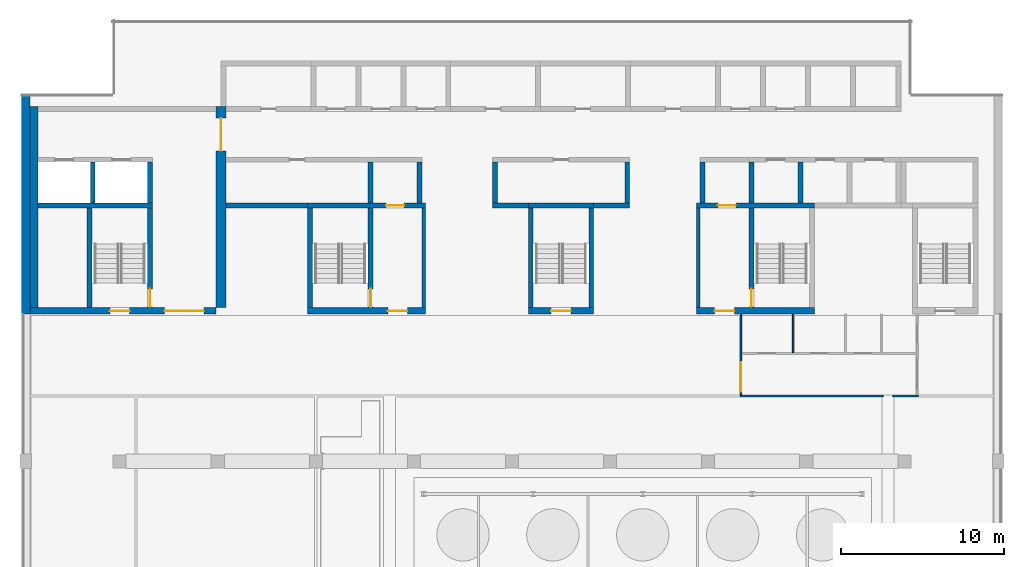
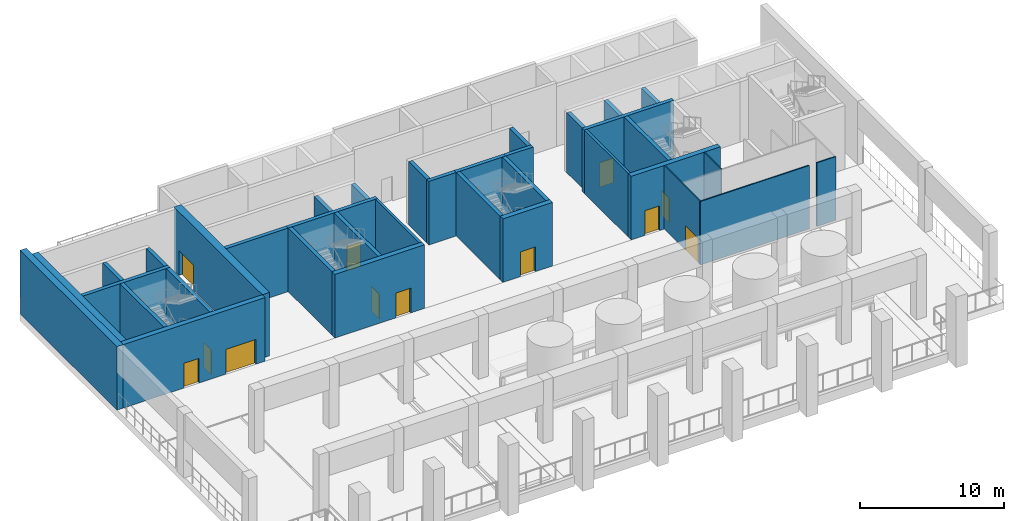
# One storey, part 4 of 11: 36 walls, 12 doors, 12 openings.
"""IFC4 building model written with IfcOpenShell, lengths in metres."""

from ifc_helpers import new_model, si_unit, direction, frame, frame_2d, origin, place, context, subcontext, project, spatial, rectangle, extrude, material, layer, layer_set, type_object, element, fill, save


model = new_model("IFC4")

# Units and contexts
model_context = context("Model", 3, precision=1e-05, world=origin(), true_north=direction((0.0, 1.0)))
body_context = subcontext(model_context, "Body", "Model", "MODEL_VIEW")
ifc_project = project(units=[si_unit("LENGTHUNIT", "METRE"), si_unit("AREAUNIT", "SQUARE_METRE"), si_unit("VOLUMEUNIT", "CUBIC_METRE"), si_unit("PLANEANGLEUNIT", "RADIAN"), si_unit("MASSUNIT", "GRAM", prefix="KILO")], contexts=[model_context])

# Site, building, storey
site_placement = place(None, origin())
site = spatial("IfcSite", under=ifc_project, at=site_placement, CompositionType="ELEMENT")
building_placement = place(site_placement, origin())
building = spatial("IfcBuilding", under=site, at=building_placement, Name="Calvaro Tower", CompositionType="ELEMENT")
storey_placement = place(building_placement, frame((0.0, 0.0, 265.949951171875)))
storey = spatial("IfcBuildingStorey", under=building, at=storey_placement, Name="L67", CompositionType="ELEMENT", Elevation=265.949951171875)

# Walls
ifc_material_1 = material(Name="Blockwork partition", Category="masonry")
ifc_layer_1 = layer(ifc_material_1, 0.199951171875)
ifc_layer_set_1 = layer_set([ifc_layer_1], Name="Blockwork partition")
wall_type_1 = type_object("IfcWallType", Name="Core partition 200 REI 120", PredefinedType="PARTITIONING", material=ifc_layer_set_1)
for number, where, z_axis, x_axis, name in (
    (1, (30.60009765625, 28.39990234375, 0.0), (0.0, 0.0, 1.0), (0.0, 1.0, 0.0), "Core partition"),
    (2, (47.39990234375, 28.39990234375, 0.0), (0.0, 0.0, 1.0), (0.0, 1.0, 0.0), "Core partition"),
):
    element("IfcWall", number, at=place(storey_placement, frame(where, z_axis=z_axis, x_axis=x_axis)), inside=storey, type_object=wall_type_1, Name=name, PredefinedType="PARTITIONING", context=body_context, shape_type="SweptSolid", body=[
        extrude(rectangle(XDim=6.10009765625, YDim=0.199951171875, at=frame_2d((3.050048828125, 0.0))), origin(), (0.0, 0.0, 1.0), 5.400146484375),
    ])
ifc_material_2 = material(Name="Blockwork partition", Category="masonry")
ifc_layer_2 = layer(ifc_material_2, 0.300048828125)
ifc_layer_set_2 = layer_set([ifc_layer_2], Name="Blockwork partition")
wall_type_2 = type_object("IfcWallType", Name="Core partition 300 REI 120", PredefinedType="PARTITIONING", material=ifc_layer_set_2)
wall_1_placement = place(storey_placement, frame((18.5, 34.64990234375, 0.0), z_axis=(0.0, 0.0, 1.0), x_axis=(1.0, 0.0, 0.0)))
element("IfcWall", 3, at=wall_1_placement, inside=storey, type_object=wall_type_2, Name="Core partition", PredefinedType="PARTITIONING", context=body_context, shape_type="SweptSolid", body=[
    extrude(rectangle(XDim=5.0, YDim=0.300048828125, at=frame_2d((2.5, 0.0))), origin(), (0.0, 0.0, 1.0), 5.400146484375),
])
for number, where, z_axis, x_axis, name in (
    (4, (34.800048828125, 34.64990234375, 0.0), (0.0, 0.0, 1.0), (1.0, 0.0, 0.0), "Core partition"),
    (5, (41.0, 34.64990234375, 0.0), (0.0, 0.0, 1.0), (1.0, 0.0, 0.0), "Core partition"),
):
    element("IfcWall", number, at=place(storey_placement, frame(where, z_axis=z_axis, x_axis=x_axis)), inside=storey, type_object=wall_type_2, Name=name, PredefinedType="PARTITIONING", context=body_context, shape_type="SweptSolid", body=[
        extrude(rectangle(XDim=2.199951171875, YDim=0.300048828125, at=frame_2d((1.10009765625, 0.0))), origin(), (0.0, 0.0, 1.0), 5.400146484375),
    ])
for number, where, z_axis, x_axis, name in (
    (6, (34.949951171875, 34.800048828125, 0.0), (0.0, 0.0, 1.0), (0.0, 1.0, 0.0), "Core partition"),
    (7, (43.050048828125, 34.800048828125, 0.0), (0.0, 0.0, 1.0), (0.0, 1.0, 0.0), "Core partition"),
):
    element("IfcWall", number, at=place(storey_placement, frame(where, z_axis=z_axis, x_axis=x_axis)), inside=storey, type_object=wall_type_2, Name=name, PredefinedType="PARTITIONING", context=body_context, shape_type="SweptSolid", body=[
        extrude(rectangle(XDim=2.5, YDim=0.300048828125, at=frame_2d((1.25, 0.0))), origin(), (0.0, 0.0, 1.0), 5.400146484375),
    ])
ifc_material_3 = material(Name="Concrete C40/50", Category="concrete")
ifc_layer_3 = layer(ifc_material_3, 0.300048828125)
ifc_layer_set_3 = layer_set([ifc_layer_3], Name="Concrete C40/50")
wall_type_3 = type_object("IfcWallType", Name="Core wall C40/50 300", PredefinedType="SHEAR", material=ifc_layer_set_3)
wall_2_placement = place(storey_placement, frame((10.14990234375, 28.39990234375, 0.0), z_axis=(0.0, 0.0, 1.0), x_axis=(0.0, 1.0, 0.0)))
element("IfcWall", 8, at=wall_2_placement, inside=storey, type_object=wall_type_3, Name="Core wall, stair enclosure", PredefinedType="SHEAR", context=body_context, shape_type="SweptSolid", body=[
    extrude(rectangle(XDim=6.10009765625, YDim=0.300048828125, at=frame_2d((3.050048828125, 0.0))), origin(), (0.0, 0.0, 1.0), 5.400146484375),
])

# Wall, opening, door
wall_3_placement = place(storey_placement, frame((13.85009765625, 28.39990234375, 0.0), z_axis=(0.0, 0.0, 1.0), x_axis=(0.0, 1.0, 0.0)))
wall_3 = element("IfcWall", 9, at=wall_3_placement, inside=storey, type_object=wall_type_3, Name="Core wall, stair enclosure", PredefinedType="SHEAR", context=body_context, shape_type="SweptSolid", body=[
    extrude(rectangle(XDim=6.10009765625, YDim=0.300048828125, at=frame_2d((3.050048828125, 0.0))), origin(), (0.0, 0.0, 1.0), 5.400146484375),
])
opening_1_placement = place(wall_3_placement, frame((0.050048828125, 0.0, 0.0)))
opening_1 = element("IfcOpeningElement", 10, at=opening_1_placement, cuts=wall_3, Name="Opening FD11D", PredefinedType="OPENING", context=body_context, shape_type="SweptSolid", body=[
    extrude(rectangle(XDim=1.10009765625, YDim=2.10009765625, at=frame_2d((0.550048828125, 1.050048828125))), frame((0.0, 0.159912109375, 0.0), z_axis=(0.0, -1.0, 0.0), x_axis=(1.0, 0.0, 0.0)), (0.0, 0.0, 1.0), 0.320068359375),
])
ifc_material_4 = material(Name="Steel door set", Category="steel")
door_type_1 = type_object("IfcDoorType", Name="Fire door 1100 FD30S", OperationType="SINGLE_SWING_LEFT", PredefinedType="DOOR", material=ifc_material_4)
door_1_placement = place(opening_1_placement, origin())
door_1 = element("IfcDoor", 11, at=door_1_placement, inside=storey, type_object=door_type_1, Name="Fire door", OperationType="SINGLE_SWING_LEFT", OverallHeight=2.10009765625, OverallWidth=1.10009765625, PredefinedType="DOOR", context=body_context, shape_type="SweptSolid", body=[
    extrude(rectangle(XDim=1.10009765625, YDim=2.10009765625, at=frame_2d((0.550048828125, 1.050048828125))), frame((0.0, 0.02490234375, 0.0), z_axis=(0.0, -1.0, 0.0), x_axis=(1.0, 0.0, 0.0)), (0.0, 0.0, 1.0), 0.050048828125),
])
fill(opening_1, door_1)

# Wall
wall_4_placement = place(storey_placement, frame((23.64990234375, 28.39990234375, 0.0), z_axis=(0.0, 0.0, 1.0), x_axis=(0.0, 1.0, 0.0)))
element("IfcWall", 12, at=wall_4_placement, inside=storey, type_object=wall_type_3, Name="Core wall, stair enclosure", PredefinedType="SHEAR", context=body_context, shape_type="SweptSolid", body=[
    extrude(rectangle(XDim=6.10009765625, YDim=0.300048828125, at=frame_2d((3.050048828125, 0.0))), origin(), (0.0, 0.0, 1.0), 5.400146484375),
])

# Wall, opening, door
wall_5_placement = place(storey_placement, frame((27.35009765625, 28.39990234375, 0.0), z_axis=(0.0, 0.0, 1.0), x_axis=(0.0, 1.0, 0.0)))
wall_5 = element("IfcWall", 13, at=wall_5_placement, inside=storey, type_object=wall_type_3, Name="Core wall, stair enclosure", PredefinedType="SHEAR", context=body_context, shape_type="SweptSolid", body=[
    extrude(rectangle(XDim=6.10009765625, YDim=0.300048828125, at=frame_2d((3.050048828125, 0.0))), origin(), (0.0, 0.0, 1.0), 5.400146484375),
])
opening_2_placement = place(wall_5_placement, frame((0.050048828125, 0.0, 0.0)))
opening_2 = element("IfcOpeningElement", 14, at=opening_2_placement, cuts=wall_5, Name="Opening FD11D", PredefinedType="OPENING", context=body_context, shape_type="SweptSolid", body=[
    extrude(rectangle(XDim=1.10009765625, YDim=2.10009765625, at=frame_2d((0.550048828125, 1.050048828125))), frame((0.0, 0.159912109375, 0.0), z_axis=(0.0, -1.0, 0.0), x_axis=(1.0, 0.0, 0.0)), (0.0, 0.0, 1.0), 0.320068359375),
])
door_2_placement = place(opening_2_placement, origin())
door_2 = element("IfcDoor", 15, at=door_2_placement, inside=storey, type_object=door_type_1, Name="Fire door", OperationType="SINGLE_SWING_LEFT", OverallHeight=2.10009765625, OverallWidth=1.10009765625, PredefinedType="DOOR", context=body_context, shape_type="SweptSolid", body=[
    extrude(rectangle(XDim=1.10009765625, YDim=2.10009765625, at=frame_2d((0.550048828125, 1.050048828125))), frame((0.0, 0.02490234375, 0.0), z_axis=(0.0, -1.0, 0.0), x_axis=(1.0, 0.0, 0.0)), (0.0, 0.0, 1.0), 0.050048828125),
])
fill(opening_2, door_2)

wall_6_placement = place(storey_placement, frame((23.5, 34.64990234375, 0.0), z_axis=(0.0, 0.0, 1.0), x_axis=(1.0, 0.0, 0.0)))
wall_6 = element("IfcWall", 16, at=wall_6_placement, inside=storey, type_object=wall_type_3, Name="Core wall, stair enclosure", PredefinedType="SHEAR", context=body_context, shape_type="SweptSolid", body=[
    extrude(rectangle(XDim=7.199951171875, YDim=0.300048828125, at=frame_2d((3.60009765625, 0.0))), origin(), (0.0, 0.0, 1.0), 5.400146484375),
])
opening_3_placement = place(wall_6_placement, frame((4.800048828125, 0.0, 0.0)))
opening_3 = element("IfcOpeningElement", 17, at=opening_3_placement, cuts=wall_6, Name="Opening FF1", PredefinedType="OPENING", context=body_context, shape_type="SweptSolid", body=[
    extrude(rectangle(XDim=1.10009765625, YDim=2.10009765625, at=frame_2d((0.550048828125, 1.050048828125))), frame((0.0, 0.159912109375, 0.0), z_axis=(0.0, -1.0, 0.0), x_axis=(1.0, 0.0, 0.0)), (0.0, 0.0, 1.0), 0.320068359375),
])
ifc_material_5 = material(Name="Stainless steel", Category="steel")
door_type_2 = type_object("IfcDoorType", Name="Landing door 1100 E 60", OperationType="SLIDING_TO_LEFT", PredefinedType="DOOR", material=ifc_material_5)
door_3_placement = place(opening_3_placement, origin())
door_3 = element("IfcDoor", 18, at=door_3_placement, inside=storey, type_object=door_type_2, Name="Landing door FF1", OperationType="SLIDING_TO_LEFT", OverallHeight=2.10009765625, OverallWidth=1.10009765625, PredefinedType="DOOR", context=body_context, shape_type="SweptSolid", body=[
    extrude(rectangle(XDim=1.10009765625, YDim=2.10009765625, at=frame_2d((0.550048828125, 1.050048828125))), frame((0.0, 0.02490234375, 0.0), z_axis=(0.0, -1.0, 0.0), x_axis=(1.0, 0.0, 0.0)), (0.0, 0.0, 1.0), 0.050048828125),
])
fill(opening_3, door_3)

# Walls
for number, where, z_axis, x_axis, name in (
    (19, (37.14990234375, 28.39990234375, 0.0), (0.0, 0.0, 1.0), (0.0, 1.0, 0.0), "Core wall, stair enclosure"),
    (20, (40.85009765625, 28.39990234375, 0.0), (0.0, 0.0, 1.0), (0.0, 1.0, 0.0), "Core wall, stair enclosure"),
):
    element("IfcWall", number, at=place(storey_placement, frame(where, z_axis=z_axis, x_axis=x_axis)), inside=storey, type_object=wall_type_3, Name=name, PredefinedType="SHEAR", context=body_context, shape_type="SweptSolid", body=[
        extrude(rectangle(XDim=6.10009765625, YDim=0.300048828125, at=frame_2d((3.050048828125, 0.0))), origin(), (0.0, 0.0, 1.0), 5.400146484375),
    ])
wall_7_placement = place(storey_placement, frame((37.0, 34.64990234375, 0.0), z_axis=(0.0, 0.0, 1.0), x_axis=(1.0, 0.0, 0.0)))
element("IfcWall", 21, at=wall_7_placement, inside=storey, type_object=wall_type_3, Name="Core wall, stair enclosure", PredefinedType="SHEAR", context=body_context, shape_type="SweptSolid", body=[
    extrude(rectangle(XDim=4.0, YDim=0.300048828125, at=frame_2d((2.0, 0.0))), origin(), (0.0, 0.0, 1.0), 5.400146484375),
])

# Wall, opening, door
wall_8_placement = place(storey_placement, frame((50.64990234375, 34.5, 0.0), z_axis=(0.0, 0.0, 1.0), x_axis=(0.0, -1.0, 0.0)))
wall_8 = element("IfcWall", 22, at=wall_8_placement, inside=storey, type_object=wall_type_3, Name="Core wall, stair enclosure", PredefinedType="SHEAR", context=body_context, shape_type="SweptSolid", body=[
    extrude(rectangle(XDim=6.10009765625, YDim=0.300048828125, at=frame_2d((3.050048828125, 0.0))), origin(), (0.0, 0.0, 1.0), 5.400146484375),
])
opening_4_placement = place(wall_8_placement, frame((4.949951171875, 0.0, 0.0)))
opening_4 = element("IfcOpeningElement", 23, at=opening_4_placement, cuts=wall_8, Name="Opening FD11D", PredefinedType="OPENING", context=body_context, shape_type="SweptSolid", body=[
    extrude(rectangle(XDim=1.10009765625, YDim=2.10009765625, at=frame_2d((0.550048828125, 1.050048828125))), frame((0.0, 0.159912109375, 0.0), z_axis=(0.0, -1.0, 0.0), x_axis=(1.0, 0.0, 0.0)), (0.0, 0.0, 1.0), 0.320068359375),
])
door_4_placement = place(opening_4_placement, origin())
door_4 = element("IfcDoor", 24, at=door_4_placement, inside=storey, type_object=door_type_1, Name="Fire door", OperationType="SINGLE_SWING_RIGHT", OverallHeight=2.10009765625, OverallWidth=1.10009765625, PredefinedType="DOOR", context=body_context, shape_type="SweptSolid", body=[
    extrude(rectangle(XDim=1.10009765625, YDim=2.10009765625, at=frame_2d((0.550048828125, 1.050048828125))), frame((0.0, 0.02490234375, 0.0), z_axis=(0.0, -1.0, 0.0), x_axis=(1.0, 0.0, 0.0)), (0.0, 0.0, 1.0), 0.050048828125),
])
fill(opening_4, door_4)

wall_9_placement = place(storey_placement, frame((47.300048828125, 34.64990234375, 0.0), z_axis=(0.0, 0.0, 1.0), x_axis=(1.0, 0.0, 0.0)))
wall_9 = element("IfcWall", 25, at=wall_9_placement, inside=storey, type_object=wall_type_3, Name="Core wall, stair enclosure", PredefinedType="SHEAR", context=body_context, shape_type="SweptSolid", body=[
    extrude(rectangle(XDim=7.199951171875, YDim=0.300048828125, at=frame_2d((3.60009765625, 0.0))), origin(), (0.0, 0.0, 1.0), 5.400146484375),
])
opening_5_placement = place(wall_9_placement, frame((1.300048828125, 0.0, 0.0)))
opening_5 = element("IfcOpeningElement", 26, at=opening_5_placement, cuts=wall_9, Name="Opening FF2", PredefinedType="OPENING", context=body_context, shape_type="SweptSolid", body=[
    extrude(rectangle(XDim=1.10009765625, YDim=2.10009765625, at=frame_2d((0.550048828125, 1.050048828125))), frame((0.0, 0.159912109375, 0.0), z_axis=(0.0, -1.0, 0.0), x_axis=(1.0, 0.0, 0.0)), (0.0, 0.0, 1.0), 0.320068359375),
])
door_5_placement = place(opening_5_placement, origin())
door_5 = element("IfcDoor", 27, at=door_5_placement, inside=storey, type_object=door_type_2, Name="Landing door FF2", OperationType="SLIDING_TO_LEFT", OverallHeight=2.10009765625, OverallWidth=1.10009765625, PredefinedType="DOOR", context=body_context, shape_type="SweptSolid", body=[
    extrude(rectangle(XDim=1.10009765625, YDim=2.10009765625, at=frame_2d((0.550048828125, 1.050048828125))), frame((0.0, 0.02490234375, 0.0), z_axis=(0.0, -1.0, 0.0), x_axis=(1.0, 0.0, 0.0)), (0.0, 0.0, 1.0), 0.050048828125),
])
fill(opening_5, door_5)

# Walls
wall_10_placement = place(storey_placement, frame((13.85009765625, 34.800048828125, 0.0), z_axis=(0.0, 0.0, 1.0), x_axis=(0.0, 1.0, 0.0)))
element("IfcWall", 28, at=wall_10_placement, inside=storey, type_object=wall_type_3, Name="Core wall, lift shaft", PredefinedType="SHEAR", context=body_context, shape_type="SweptSolid", body=[
    extrude(rectangle(XDim=2.5, YDim=0.300048828125, at=frame_2d((1.25, 0.0))), origin(), (0.0, 0.0, 1.0), 5.400146484375),
])
wall_11_placement = place(storey_placement, frame((7.0, 34.64990234375, 0.0), z_axis=(0.0, 0.0, 1.0), x_axis=(1.0, 0.0, 0.0)))
element("IfcWall", 29, at=wall_11_placement, inside=storey, type_object=wall_type_3, Name="Core wall, lift shaft", PredefinedType="SHEAR", context=body_context, shape_type="SweptSolid", body=[
    extrude(rectangle(XDim=7.0, YDim=0.300048828125, at=frame_2d((3.5, 0.0))), origin(), (0.0, 0.0, 1.0), 5.400146484375),
])
wall_12_placement = place(storey_placement, frame((10.35009765625, 34.800048828125, 0.0), z_axis=(0.0, 0.0, 1.0), x_axis=(0.0, 1.0, 0.0)))
element("IfcWall", 30, at=wall_12_placement, inside=storey, type_object=wall_type_3, Name="Core wall, lift shaft", PredefinedType="SHEAR", context=body_context, shape_type="SweptSolid", body=[
    extrude(rectangle(XDim=2.5, YDim=0.300048828125, at=frame_2d((1.25, 0.0))), origin(), (0.0, 0.0, 1.0), 5.400146484375),
])
for number, where, z_axis, x_axis, name in (
    (31, (50.64990234375, 34.800048828125, 0.0), (0.0, 0.0, 1.0), (0.0, 1.0, 0.0), "Core wall, lift shaft"),
    (32, (53.64990234375, 34.800048828125, 0.0), (0.0, 0.0, 1.0), (0.0, 1.0, 0.0), "Core wall, lift shaft"),
    (33, (27.35009765625, 34.800048828125, 0.0), (0.0, 0.0, 1.0), (0.0, 1.0, 0.0), "Core wall, lift shaft"),
    (34, (30.35009765625, 34.800048828125, 0.0), (0.0, 0.0, 1.0), (0.0, 1.0, 0.0), "Core wall, lift shaft"),
    (35, (47.64990234375, 34.800048828125, 0.0), (0.0, 0.0, 1.0), (0.0, 1.0, 0.0), "Core wall, lift shaft"),
):
    element("IfcWall", number, at=place(storey_placement, frame(where, z_axis=z_axis, x_axis=x_axis)), inside=storey, type_object=wall_type_3, Name=name, PredefinedType="SHEAR", context=body_context, shape_type="SweptSolid", body=[
        extrude(rectangle(XDim=2.5, YDim=0.300048828125, at=frame_2d((1.25, 0.0))), origin(), (0.0, 0.0, 1.0), 5.10009765625),
    ])

# Wall, opening, door
ifc_material_6 = material(Name="Concrete C40/50", Category="concrete")
ifc_layer_4 = layer(ifc_material_6, 0.39990234375)
ifc_layer_set_4 = layer_set([ifc_layer_4], Name="Concrete C40/50")
wall_type_4 = type_object("IfcWallType", Name="Core wall C40/50 400", PredefinedType="SHEAR", material=ifc_layer_set_4)
wall_13_placement = place(storey_placement, frame((23.5, 28.199951171875, 0.0), z_axis=(0.0, 0.0, 1.0), x_axis=(1.0, 0.0, 0.0)))
wall_13 = element("IfcWall", 36, at=wall_13_placement, inside=storey, type_object=wall_type_4, Name="Core wall, front", PredefinedType="SHEAR", context=body_context, shape_type="SweptSolid", body=[
    extrude(rectangle(XDim=7.199951171875, YDim=0.39990234375, at=frame_2d((3.60009765625, 0.0))), origin(), (0.0, 0.0, 1.0), 5.400146484375),
])
opening_6_placement = place(wall_13_placement, frame((4.89990234375, 0.0, 0.0)))
opening_6 = element("IfcOpeningElement", 37, at=opening_6_placement, cuts=wall_13, Name="Opening FD12F", PredefinedType="OPENING", context=body_context, shape_type="SweptSolid", body=[
    extrude(rectangle(XDim=1.199951171875, YDim=2.10009765625, at=frame_2d((0.60009765625, 1.050048828125))), frame((0.0, 0.2099609375, 0.0), z_axis=(0.0, -1.0, 0.0), x_axis=(1.0, 0.0, 0.0)), (0.0, 0.0, 1.0), 0.419921875),
])
ifc_material_7 = material(Name="Steel door set", Category="steel")
door_type_3 = type_object("IfcDoorType", Name="Fire door 1200 FD60S", OperationType="SINGLE_SWING_LEFT", PredefinedType="DOOR", material=ifc_material_7)
door_6_placement = place(opening_6_placement, origin())
door_6 = element("IfcDoor", 38, at=door_6_placement, inside=storey, type_object=door_type_3, Name="Fire door", OperationType="SINGLE_SWING_LEFT", OverallHeight=2.10009765625, OverallWidth=1.199951171875, PredefinedType="DOOR", context=body_context, shape_type="SweptSolid", body=[
    extrude(rectangle(XDim=1.199951171875, YDim=2.10009765625, at=frame_2d((0.60009765625, 1.050048828125))), frame((0.0, 0.02490234375, 0.0), z_axis=(0.0, -1.0, 0.0), x_axis=(1.0, 0.0, 0.0)), (0.0, 0.0, 1.0), 0.050048828125),
])
fill(opening_6, door_6)

wall_14_placement = place(storey_placement, frame((37.0, 28.199951171875, 0.0), z_axis=(0.0, 0.0, 1.0), x_axis=(1.0, 0.0, 0.0)))
wall_14 = element("IfcWall", 39, at=wall_14_placement, inside=storey, type_object=wall_type_4, Name="Core wall, front", PredefinedType="SHEAR", context=body_context, shape_type="SweptSolid", body=[
    extrude(rectangle(XDim=4.0, YDim=0.39990234375, at=frame_2d((2.0, 0.0))), origin(), (0.0, 0.0, 1.0), 5.400146484375),
])
opening_7_placement = place(wall_14_placement, frame((1.39990234375, 0.0, 0.0)))
opening_7 = element("IfcOpeningElement", 40, at=opening_7_placement, cuts=wall_14, Name="Opening SD12D", PredefinedType="OPENING", context=body_context, shape_type="SweptSolid", body=[
    extrude(rectangle(XDim=1.199951171875, YDim=2.10009765625, at=frame_2d((0.60009765625, 1.050048828125))), frame((0.0, 0.2099609375, 0.0), z_axis=(0.0, -1.0, 0.0), x_axis=(1.0, 0.0, 0.0)), (0.0, 0.0, 1.0), 0.419921875),
])
ifc_material_8 = material(Name="Steel door set", Category="steel")
door_type_4 = type_object("IfcDoorType", Name="Stair door 1200 FD30S", OperationType="SINGLE_SWING_LEFT", PredefinedType="DOOR", material=ifc_material_8)
door_7_placement = place(opening_7_placement, origin())
door_7 = element("IfcDoor", 41, at=door_7_placement, inside=storey, type_object=door_type_4, Name="Stair door", OperationType="SINGLE_SWING_LEFT", OverallHeight=2.10009765625, OverallWidth=1.199951171875, PredefinedType="DOOR", context=body_context, shape_type="SweptSolid", body=[
    extrude(rectangle(XDim=1.199951171875, YDim=2.10009765625, at=frame_2d((0.60009765625, 1.050048828125))), frame((0.0, 0.02490234375, 0.0), z_axis=(0.0, -1.0, 0.0), x_axis=(1.0, 0.0, 0.0)), (0.0, 0.0, 1.0), 0.050048828125),
])
fill(opening_7, door_7)

wall_15_placement = place(storey_placement, frame((47.300048828125, 28.199951171875, 0.0), z_axis=(0.0, 0.0, 1.0), x_axis=(1.0, 0.0, 0.0)))
wall_15 = element("IfcWall", 42, at=wall_15_placement, inside=storey, type_object=wall_type_4, Name="Core wall, front", PredefinedType="SHEAR", context=body_context, shape_type="SweptSolid", body=[
    extrude(rectangle(XDim=7.199951171875, YDim=0.39990234375, at=frame_2d((3.60009765625, 0.0))), origin(), (0.0, 0.0, 1.0), 5.400146484375),
])
opening_8_placement = place(wall_15_placement, frame((1.10009765625, 0.0, 0.0)))
opening_8 = element("IfcOpeningElement", 43, at=opening_8_placement, cuts=wall_15, Name="Opening FD12F", PredefinedType="OPENING", context=body_context, shape_type="SweptSolid", body=[
    extrude(rectangle(XDim=1.199951171875, YDim=2.10009765625, at=frame_2d((0.60009765625, 1.050048828125))), frame((0.0, 0.2099609375, 0.0), z_axis=(0.0, -1.0, 0.0), x_axis=(1.0, 0.0, 0.0)), (0.0, 0.0, 1.0), 0.419921875),
])
door_8_placement = place(opening_8_placement, origin())
door_8 = element("IfcDoor", 44, at=door_8_placement, inside=storey, type_object=door_type_3, Name="Fire door", OperationType="SINGLE_SWING_LEFT", OverallHeight=2.10009765625, OverallWidth=1.199951171875, PredefinedType="DOOR", context=body_context, shape_type="SweptSolid", body=[
    extrude(rectangle(XDim=1.199951171875, YDim=2.10009765625, at=frame_2d((0.60009765625, 1.050048828125))), frame((0.0, 0.02490234375, 0.0), z_axis=(0.0, -1.0, 0.0), x_axis=(1.0, 0.0, 0.0)), (0.0, 0.0, 1.0), 0.050048828125),
])
fill(opening_8, door_8)

# Wall, openings, doors
wall_16_placement = place(storey_placement, frame((6.5, 28.199951171875, 0.0), z_axis=(0.0, 0.0, 1.0), x_axis=(1.0, 0.0, 0.0)))
wall_16 = element("IfcWall", 45, at=wall_16_placement, inside=storey, type_object=wall_type_4, Name="Core wall, front", PredefinedType="SHEAR", context=body_context, shape_type="SweptSolid", body=[
    extrude(rectangle(XDim=11.39990234375, YDim=0.39990234375, at=frame_2d((5.699951171875, 0.0))), origin(), (0.0, 0.0, 1.0), 5.400146484375),
])
opening_9_placement = place(wall_16_placement, frame((4.89990234375, 0.0, 0.0)))
opening_9 = element("IfcOpeningElement", 46, at=opening_9_placement, cuts=wall_16, Name="Opening SD12D", PredefinedType="OPENING", context=body_context, shape_type="SweptSolid", body=[
    extrude(rectangle(XDim=1.199951171875, YDim=2.10009765625, at=frame_2d((0.60009765625, 1.050048828125))), frame((0.0, 0.2099609375, 0.0), z_axis=(0.0, -1.0, 0.0), x_axis=(1.0, 0.0, 0.0)), (0.0, 0.0, 1.0), 0.419921875),
])
opening_10_placement = place(wall_16_placement, frame((8.25, 0.0, 0.0)))
opening_10 = element("IfcOpeningElement", 47, at=opening_10_placement, cuts=wall_16, Name="Opening DD24D", PredefinedType="OPENING", context=body_context, shape_type="SweptSolid", body=[
    extrude(rectangle(XDim=2.39990234375, YDim=2.10009765625, at=frame_2d((1.199951171875, 1.050048828125))), frame((0.0, 0.2099609375, 0.0), z_axis=(0.0, -1.0, 0.0), x_axis=(1.0, 0.0, 0.0)), (0.0, 0.0, 1.0), 0.419921875),
])
ifc_material_9 = material(Name="Steel door set", Category="steel")
door_type_5 = type_object("IfcDoorType", Name="Lobby double door 2400 FD30S", OperationType="DOUBLE_DOOR_SINGLE_SWING", PredefinedType="DOOR", material=ifc_material_9)
door_9_placement = place(opening_10_placement, origin())
door_9 = element("IfcDoor", 48, at=door_9_placement, inside=storey, type_object=door_type_5, Name="Lobby double door", OperationType="DOUBLE_DOOR_SINGLE_SWING", OverallHeight=2.10009765625, OverallWidth=2.39990234375, PredefinedType="DOOR", context=body_context, shape_type="SweptSolid", body=[
    extrude(rectangle(XDim=2.39990234375, YDim=2.10009765625, at=frame_2d((1.199951171875, 1.050048828125))), frame((0.0, 0.02490234375, 0.0), z_axis=(0.0, -1.0, 0.0), x_axis=(1.0, 0.0, 0.0)), (0.0, 0.0, 1.0), 0.050048828125),
])
fill(opening_10, door_9)
door_10_placement = place(opening_9_placement, origin())
door_10 = element("IfcDoor", 49, at=door_10_placement, inside=storey, type_object=door_type_4, Name="Stair door", OperationType="SINGLE_SWING_LEFT", OverallHeight=2.10009765625, OverallWidth=1.199951171875, PredefinedType="DOOR", context=body_context, shape_type="SweptSolid", body=[
    extrude(rectangle(XDim=1.199951171875, YDim=2.10009765625, at=frame_2d((0.60009765625, 1.050048828125))), frame((0.0, 0.02490234375, 0.0), z_axis=(0.0, -1.0, 0.0), x_axis=(1.0, 0.0, 0.0)), (0.0, 0.0, 1.0), 0.050048828125),
])
fill(opening_9, door_10)

# Wall
ifc_material_10 = material(Name="Concrete C40/50", Category="concrete")
ifc_layer_5 = layer(ifc_material_10, 0.5)
ifc_layer_set_5 = layer_set([ifc_layer_5], Name="Concrete C40/50")
wall_type_5 = type_object("IfcWallType", Name="Core wall C40/50 500", PredefinedType="SHEAR", material=ifc_layer_set_5)
wall_17_placement = place(storey_placement, frame((6.75, 28.39990234375, 0.0), z_axis=(0.0, 0.0, 1.0), x_axis=(0.0, 1.0, 0.0)))
element("IfcWall", 50, at=wall_17_placement, inside=storey, type_object=wall_type_5, Name="Core wall, boundary", PredefinedType="SHEAR", context=body_context, shape_type="SweptSolid", body=[
    extrude(rectangle(XDim=12.300048828125, YDim=0.5, at=frame_2d((6.14990234375, 0.0))), origin(), (0.0, 0.0, 1.0), 5.400146484375),
])

# Wall, opening, door
ifc_material_11 = material(Name="Concrete C40/50", Category="concrete")
ifc_layer_6 = layer(ifc_material_11, 0.60009765625)
ifc_layer_set_6 = layer_set([ifc_layer_6], Name="Concrete C40/50")
wall_type_6 = type_object("IfcWallType", Name="Core wall C40/50 600", PredefinedType="SHEAR", material=ifc_layer_set_6)
wall_18_placement = place(storey_placement, frame((18.199951171875, 40.699951171875, 0.0), z_axis=(0.0, 0.0, 1.0), x_axis=(0.0, -1.0, 0.0)))
wall_18 = element("IfcWall", 51, at=wall_18_placement, inside=storey, type_object=wall_type_6, Name="Core wall, cross shear wall", PredefinedType="SHEAR", context=body_context, shape_type="SweptSolid", body=[
    extrude(rectangle(XDim=12.300048828125, YDim=0.60009765625, at=frame_2d((6.14990234375, 0.0))), origin(), (0.0, 0.0, 1.0), 5.400146484375),
])
opening_11_placement = place(wall_18_placement, frame((0.699951171875, 0.0, 0.0)))
opening_11 = element("IfcOpeningElement", 52, at=opening_11_placement, cuts=wall_18, Name="Opening DD20D", PredefinedType="OPENING", context=body_context, shape_type="SweptSolid", body=[
    extrude(rectangle(XDim=2.0, YDim=2.10009765625, at=frame_2d((1.0, 1.050048828125))), frame((0.0, 0.31005859375, 0.0), z_axis=(0.0, -1.0, 0.0), x_axis=(1.0, 0.0, 0.0)), (0.0, 0.0, 1.0), 0.6201171875),
])
ifc_material_12 = material(Name="Steel door set", Category="steel")
door_type_6 = type_object("IfcDoorType", Name="Lobby double door 2000 FD30S", OperationType="DOUBLE_DOOR_SINGLE_SWING", PredefinedType="DOOR", material=ifc_material_12)
door_11_placement = place(opening_11_placement, origin())
door_11 = element("IfcDoor", 53, at=door_11_placement, inside=storey, type_object=door_type_6, Name="Lobby double door", OperationType="DOUBLE_DOOR_SINGLE_SWING", OverallHeight=2.10009765625, OverallWidth=2.0, PredefinedType="DOOR", context=body_context, shape_type="SweptSolid", body=[
    extrude(rectangle(XDim=2.0, YDim=2.10009765625, at=frame_2d((1.0, 1.050048828125))), frame((0.0, 0.02490234375, 0.0), z_axis=(0.0, -1.0, 0.0), x_axis=(1.0, 0.0, 0.0)), (0.0, 0.0, 1.0), 0.050048828125),
])
fill(opening_11, door_11)

# Walls
ifc_material_13 = material(Name="Concrete C40/50", Category="concrete")
ifc_layer_7 = layer(ifc_material_13, 0.5)
ifc_layer_set_7 = layer_set([ifc_layer_7], Name="Concrete C40/50")
wall_type_7 = type_object("IfcWallType", Name="End wall 500 C40/50", PredefinedType="SHEAR", material=ifc_layer_set_7)
wall_19_placement = place(storey_placement, frame((6.25, 28.0, 0.0), z_axis=(0.0, 0.0, 1.0), x_axis=(0.0, 1.0, 0.0)))
element("IfcWall", 54, at=wall_19_placement, inside=storey, type_object=wall_type_7, Name="End shear wall", PredefinedType="SHEAR", context=body_context, shape_type="SweptSolid", body=[
    extrude(rectangle(XDim=13.5, YDim=0.5, at=frame_2d((6.75, 0.0))), origin(), (0.0, 0.0, 1.0), 5.400146484375),
])
ifc_material_14 = material(Name="Plasterboard on steel studs", Category="steel")
ifc_layer_8 = layer(ifc_material_14, 0.10009765625)
ifc_layer_set_8 = layer_set([ifc_layer_8], Name="Plasterboard on steel studs")
wall_type_8 = type_object("IfcWallType", Name="Partition 100", PredefinedType="PARTITIONING", material=ifc_layer_set_8)
wall_20_placement = place(storey_placement, frame((49.949951171875, 23.0, 0.0), z_axis=(0.0, 0.0, 1.0), x_axis=(1.0, 0.0, 0.0)))
element("IfcWall", 55, at=wall_20_placement, inside=storey, type_object=wall_type_8, Name="Partition T39.W001", PredefinedType="PARTITIONING", context=body_context, shape_type="SweptSolid", body=[
    extrude(rectangle(XDim=8.75, YDim=0.10009765625, at=frame_2d((4.375, 0.0))), origin(), (0.0, 0.0, 1.0), 5.400146484375),
])
wall_21_placement = place(storey_placement, frame((59.300048828125, 23.0, 0.0), z_axis=(0.0, 0.0, 1.0), x_axis=(1.0, 0.0, 0.0)))
element("IfcWall", 56, at=wall_21_placement, inside=storey, type_object=wall_type_8, Name="Partition T39.W002", PredefinedType="PARTITIONING", context=body_context, shape_type="SweptSolid", body=[
    extrude(rectangle(XDim=1.550048828125, YDim=0.10009765625, at=frame_2d((0.77490234375, 0.0))), origin(), (0.0, 0.0, 1.0), 5.400146484375),
])

# Wall, opening, door
wall_22_placement = place(storey_placement, frame((50.0, 23.050048828125, 0.0), z_axis=(0.0, 0.0, 1.0), x_axis=(0.0, 1.0, 0.0)))
wall_22 = element("IfcWall", 57, at=wall_22_placement, inside=storey, type_object=wall_type_8, Name="Partition T39.W004", PredefinedType="PARTITIONING", context=body_context, shape_type="SweptSolid", body=[
    extrude(rectangle(XDim=4.949951171875, YDim=0.10009765625, at=frame_2d((2.47509765625, 0.0))), origin(), (0.0, 0.0, 1.0), 5.400146484375),
])
opening_12_placement = place(wall_22_placement, frame((0.199951171875, 0.0, 0.0)))
opening_12 = element("IfcOpeningElement", 58, at=opening_12_placement, cuts=wall_22, Name="Opening T39.001", PredefinedType="OPENING", context=body_context, shape_type="SweptSolid", body=[
    extrude(rectangle(XDim=1.800048828125, YDim=2.10009765625, at=frame_2d((0.89990234375, 1.050048828125))), frame((0.0, 0.06005859375, 0.0), z_axis=(0.0, -1.0, 0.0), x_axis=(1.0, 0.0, 0.0)), (0.0, 0.0, 1.0), 0.1201171875),
])
ifc_material_15 = material(Name="Timber", Category="wood")
door_type_7 = type_object("IfcDoorType", Name="Internal double door 1800 x 2100", OperationType="DOUBLE_DOOR_SINGLE_SWING", PredefinedType="DOOR", material=ifc_material_15)
door_12_placement = place(opening_12_placement, origin())
door_12 = element("IfcDoor", 59, at=door_12_placement, inside=storey, type_object=door_type_7, Name="Door T39.001", OperationType="DOUBLE_DOOR_SINGLE_SWING", OverallHeight=2.10009765625, OverallWidth=1.800048828125, PredefinedType="DOOR", context=body_context, shape_type="SweptSolid", body=[
    extrude(rectangle(XDim=1.800048828125, YDim=2.10009765625, at=frame_2d((0.89990234375, 1.050048828125))), frame((0.0, 0.02490234375, 0.0), z_axis=(0.0, -1.0, 0.0), x_axis=(1.0, 0.0, 0.0)), (0.0, 0.0, 1.0), 0.050048828125),
])
fill(opening_12, door_12)

# Wall
wall_23_placement = place(storey_placement, frame((53.199951171875, 25.64990234375, 0.0), z_axis=(0.0, 0.0, 1.0), x_axis=(0.0, 1.0, 0.0)))
element("IfcWall", 60, at=wall_23_placement, inside=storey, type_object=wall_type_8, Name="Partition T39.W005", PredefinedType="PARTITIONING", context=body_context, shape_type="SweptSolid", body=[
    extrude(rectangle(XDim=2.35009765625, YDim=0.10009765625, at=frame_2d((1.175048828125, 0.0))), origin(), (0.0, 0.0, 1.0), 5.400146484375),
])

save(model, "model.ifc")
